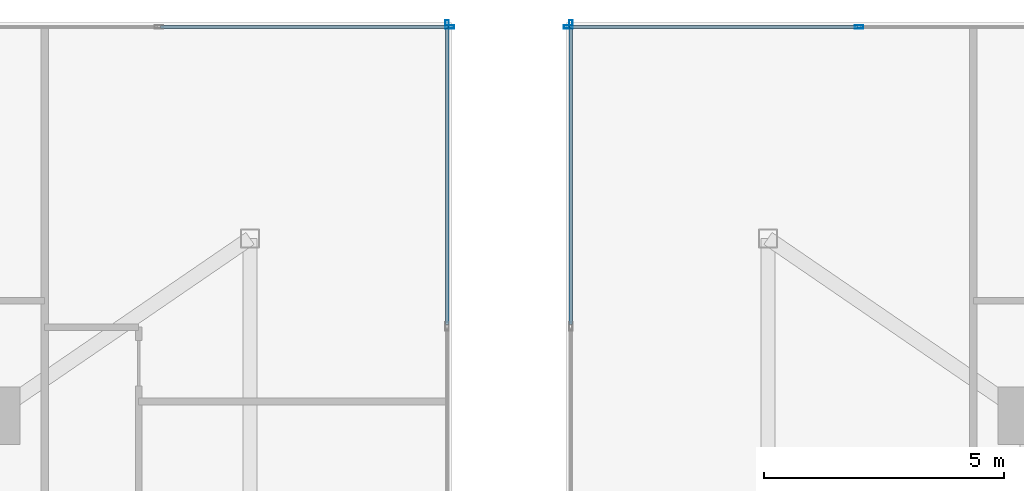
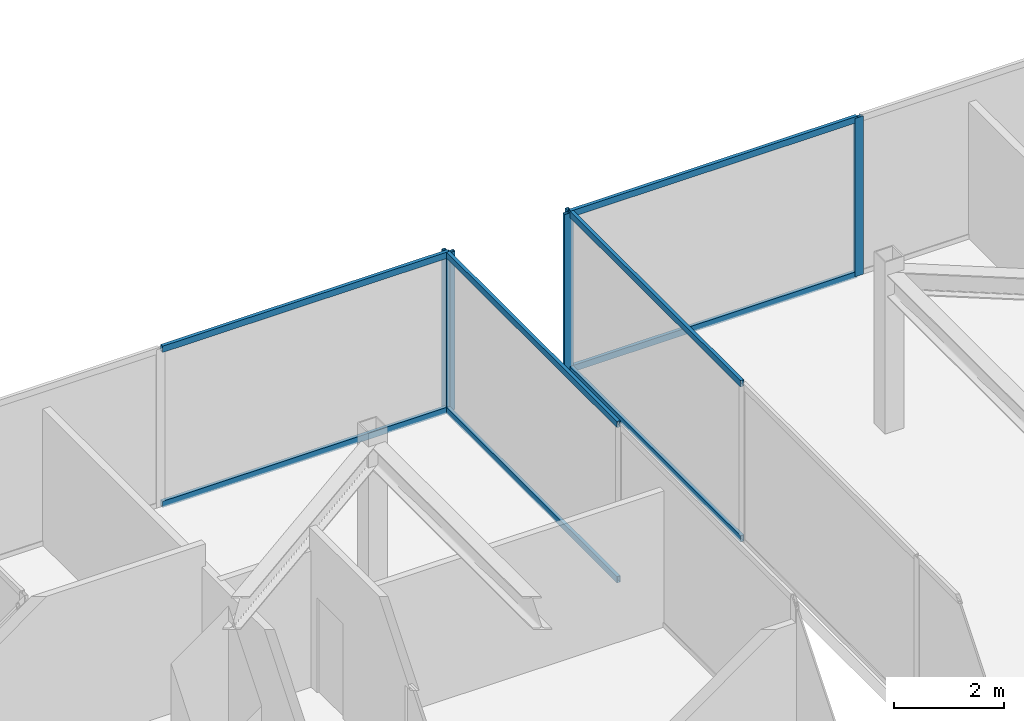
# One storey, part 20 of 25: 13 members, 4 elements without a shape of their own.
"""IFC4 building model written with IfcOpenShell, lengths in metres."""

from ifc_helpers import new_model, si_unit, direction, frame, origin, origin_2d, place, context, subcontext, project, spatial, hollow_rectangle, extrude, source, transform, mapped, material, material_profile, profile_set, type_object, type_shapes, element, aggregate, save


model = new_model("IFC4")

# Units and contexts
model_context = context("Model", 3, precision=1e-05, world=origin(), true_north=direction((0.0, 1.0)))
body_context = subcontext(model_context, "Body", "Model", "MODEL_VIEW")
ifc_project = project(units=[si_unit("LENGTHUNIT", "METRE"), si_unit("AREAUNIT", "SQUARE_METRE"), si_unit("VOLUMEUNIT", "CUBIC_METRE"), si_unit("PLANEANGLEUNIT", "RADIAN"), si_unit("MASSUNIT", "GRAM", prefix="KILO")], contexts=[model_context])

# Site, building, storey
site_placement = place(None, origin())
site = spatial("IfcSite", under=ifc_project, at=site_placement, CompositionType="ELEMENT")
building_placement = place(site_placement, origin())
building = spatial("IfcBuilding", under=site, at=building_placement, Name="Krantzveldt Concourse Tower", CompositionType="ELEMENT")
storey_placement = place(building_placement, frame((0.0, 0.0, 370.85009765625)))
storey = spatial("IfcBuildingStorey", under=building, at=storey_placement, Name="L91", CompositionType="ELEMENT", Elevation=370.85009765625)

# Curtain wall, member
ifc_material = material(Name="Anodised aluminium 6063-T6", Category="aluminium")
curtain_wall_type = type_object("IfcCurtainWallType", Name="CW7", PredefinedType="USERDEFINED", material=ifc_material)
curtain_wall_1_placement = place(storey_placement, origin())
curtain_wall_1 = element("IfcCurtainWall", 1, at=curtain_wall_1_placement, inside=storey, type_object=curtain_wall_type, Name="CW-L91-WEST-01", ObjectType="UNITISED CURTAIN WALL", PredefinedType="USERDEFINED")
ifc_material_profile_1 = material_profile(ifc_material, hollow_rectangle(XDim=0.070068359375, YDim=0.179931640625, WallThickness=0.0048828125, at=origin_2d()), Name="Anodised aluminium 6063-T6", Category="aluminium")
ifc_profile_set_1 = profile_set([ifc_material_profile_1], Name="Anodised aluminium 6063-T6 - ALU-MULL 180x70x5")
member_type_1 = type_object("IfcMemberType", Name="CW-MUL-180", PredefinedType="MULLION", material=ifc_profile_set_1)
shared_shape_1 = source(origin(), body_context, "Body", "SweptSolid", [
    extrude(hollow_rectangle(XDim=0.070068359375, YDim=0.179931640625, WallThickness=0.0048828125, at=origin_2d()), origin(), (0.0, 0.0, 1.0), 3.5),
])
type_shapes(member_type_1, [shared_shape_1])
member_1_placement = place(storey_placement, frame((34.7099609375, 45.6650390625, 0.0), z_axis=(0.0, 0.0, 1.0), x_axis=(-1.0, 0.0, 0.0)))
member_1 = element("IfcMember", 2, at=member_1_placement, type_object=member_type_1, Name="CW-CRN mullion 7", PredefinedType="MULLION", context=body_context, shape_type="MappedRepresentation", body=[
    mapped(shared_shape_1, transform((0.0, 0.0, 0.0), x_axis=(1.0, 0.0, 0.0), y_axis=(0.0, 1.0, 0.0), z_axis=(0.0, 0.0, 1.0), scale=1.0)),
])

curtain_wall_2_placement = place(storey_placement, origin())
curtain_wall_2 = element("IfcCurtainWall", 3, at=curtain_wall_2_placement, inside=storey, type_object=curtain_wall_type, Name="CW-L91-WEST-02", ObjectType="UNITISED CURTAIN WALL", PredefinedType="USERDEFINED")
member_2_placement = place(storey_placement, frame((34.764892578125, 45.610107421875, 0.0), z_axis=(0.0, 0.0, 1.0), x_axis=(0.0, -1.0, 0.0)))
member_2 = element("IfcMember", 4, at=member_2_placement, type_object=member_type_1, Name="CW-CRN mullion 1", PredefinedType="MULLION", context=body_context, shape_type="MappedRepresentation", body=[
    mapped(shared_shape_1, transform((0.0, 0.0, 0.0), x_axis=(1.0, 0.0, 0.0), y_axis=(0.0, 1.0, 0.0), z_axis=(0.0, 0.0, 1.0), scale=1.0)),
])

# Curtain wall, members
curtain_wall_3_placement = place(storey_placement, origin())
curtain_wall_3 = element("IfcCurtainWall", 5, at=curtain_wall_3_placement, inside=storey, type_object=curtain_wall_type, Name="CW-L91-EAST-06", ObjectType="UNITISED CURTAIN WALL", PredefinedType="USERDEFINED")
member_3_placement = place(storey_placement, frame((43.300048828125, 45.610107421875, 0.0), z_axis=(0.0, 0.0, 1.0), x_axis=(0.0, -1.0, 0.0)))
member_3 = element("IfcMember", 6, at=member_3_placement, type_object=member_type_1, Name="CW-CRN mullion 2", PredefinedType="MULLION", context=body_context, shape_type="MappedRepresentation", body=[
    mapped(shared_shape_1, transform((0.0, 0.0, 0.0), x_axis=(1.0, 0.0, 0.0), y_axis=(0.0, 1.0, 0.0), z_axis=(0.0, 0.0, 1.0), scale=1.0)),
])
member_4_placement = place(storey_placement, frame((37.235107421875, 45.610107421875, 0.0), z_axis=(0.0, 0.0, 1.0), x_axis=(0.0, -1.0, 0.0)))
member_4 = element("IfcMember", 7, at=member_4_placement, type_object=member_type_1, Name="CW-CRN mullion 3", PredefinedType="MULLION", context=body_context, shape_type="MappedRepresentation", body=[
    mapped(shared_shape_1, transform((0.0, 0.0, 0.0), x_axis=(1.0, 0.0, 0.0), y_axis=(0.0, 1.0, 0.0), z_axis=(0.0, 0.0, 1.0), scale=1.0)),
])

# Curtain wall, member
curtain_wall_4_placement = place(storey_placement, origin())
curtain_wall_4 = element("IfcCurtainWall", 8, at=curtain_wall_4_placement, inside=storey, type_object=curtain_wall_type, Name="CW-L91-EAST-07", ObjectType="UNITISED CURTAIN WALL", PredefinedType="USERDEFINED")
member_5_placement = place(storey_placement, frame((37.2900390625, 45.6650390625, 0.0), z_axis=(0.0, 0.0, 1.0), x_axis=(1.0, 0.0, 0.0)))
member_5 = element("IfcMember", 9, at=member_5_placement, type_object=member_type_1, Name="CW-CRN mullion 1", PredefinedType="MULLION", context=body_context, shape_type="MappedRepresentation", body=[
    mapped(shared_shape_1, transform((0.0, 0.0, 0.0), x_axis=(1.0, 0.0, 0.0), y_axis=(0.0, 1.0, 0.0), z_axis=(0.0, 0.0, 1.0), scale=1.0)),
])

# Member
ifc_material_profile_2 = material_profile(ifc_material, hollow_rectangle(XDim=0.070068359375, YDim=0.139892578125, WallThickness=0.0048828125, at=origin_2d()), Name="Anodised aluminium 6063-T6", Category="aluminium")
ifc_profile_set_2 = profile_set([ifc_material_profile_2], Name="Anodised aluminium 6063-T6 - ALU-TRAN 140x70x5")
member_type_2 = type_object("IfcMemberType", Name="CW-TRN-150", PredefinedType="USERDEFINED", material=ifc_profile_set_2)
shared_shape_2 = source(origin(), body_context, "Body", "SweptSolid", [
    extrude(hollow_rectangle(XDim=0.070068359375, YDim=0.139892578125, WallThickness=0.0048828125, at=origin_2d()), origin(), (0.0, 0.0, 1.0), 5.994873046875),
])
member_6_placement = place(storey_placement, frame((34.72998046875, 45.610107421875, 0.034912109375), z_axis=(-1.0, 0.0, 0.0), x_axis=(0.0, -1.0, 0.0)))
member_6 = element("IfcMember", 10, at=member_6_placement, type_object=member_type_2, Name="CW-CRN transom 1.1", ObjectType="TRANSOM", PredefinedType="USERDEFINED", context=body_context, shape_type="MappedRepresentation", body=[
    mapped(shared_shape_2, transform((0.0, 0.0, 0.0), x_axis=(1.0, 0.0, 0.0), y_axis=(0.0, 1.0, 0.0), z_axis=(0.0, 0.0, 1.0), scale=1.0)),
])

member_7_placement = place(storey_placement, frame((34.72998046875, 45.610107421875, 3.46484375), z_axis=(-1.0, 0.0, 0.0), x_axis=(0.0, -1.0, 0.0)))
member_7 = element("IfcMember", 11, at=member_7_placement, type_object=member_type_2, Name="CW-CRN transom 1.2", ObjectType="TRANSOM", PredefinedType="USERDEFINED", context=body_context, shape_type="MappedRepresentation", body=[
    mapped(shared_shape_2, transform((0.0, 0.0, 0.0), x_axis=(1.0, 0.0, 0.0), y_axis=(0.0, 1.0, 0.0), z_axis=(0.0, 0.0, 1.0), scale=1.0)),
])

aggregate(curtain_wall_2, [member_2, member_6, member_7])

member_8_placement = place(storey_placement, frame((43.264892578125, 45.610107421875, 0.034912109375), z_axis=(-1.0, 0.0, 0.0), x_axis=(0.0, -1.0, 0.0)))
member_8 = element("IfcMember", 12, at=member_8_placement, type_object=member_type_2, Name="CW-CRN transom 2.1", ObjectType="TRANSOM", PredefinedType="USERDEFINED", context=body_context, shape_type="MappedRepresentation", body=[
    mapped(shared_shape_2, transform((0.0, 0.0, 0.0), x_axis=(1.0, 0.0, 0.0), y_axis=(0.0, 1.0, 0.0), z_axis=(0.0, 0.0, 1.0), scale=1.0)),
])

member_9_placement = place(storey_placement, frame((43.264892578125, 45.610107421875, 3.46484375), z_axis=(-1.0, 0.0, 0.0), x_axis=(0.0, -1.0, 0.0)))
member_9 = element("IfcMember", 13, at=member_9_placement, type_object=member_type_2, Name="CW-CRN transom 2.2", ObjectType="TRANSOM", PredefinedType="USERDEFINED", context=body_context, shape_type="MappedRepresentation", body=[
    mapped(shared_shape_2, transform((0.0, 0.0, 0.0), x_axis=(1.0, 0.0, 0.0), y_axis=(0.0, 1.0, 0.0), z_axis=(0.0, 0.0, 1.0), scale=1.0)),
])

aggregate(curtain_wall_3, [member_3, member_4, member_8, member_9])

shared_shape_3 = source(origin(), body_context, "Body", "SweptSolid", [
    extrude(hollow_rectangle(XDim=0.070068359375, YDim=0.139892578125, WallThickness=0.0048828125, at=origin_2d()), origin(), (0.0, 0.0, 1.0), 6.228271484375),
])
type_shapes(member_type_2, [shared_shape_2, shared_shape_3])
member_10_placement = place(storey_placement, frame((34.7099609375, 39.401611328125, 0.034912109375), z_axis=(0.0, 1.0, 0.0), x_axis=(-1.0, 0.0, 0.0)))
member_10 = element("IfcMember", 14, at=member_10_placement, type_object=member_type_2, Name="CW-CRN transom 6.1", ObjectType="TRANSOM", PredefinedType="USERDEFINED", context=body_context, shape_type="MappedRepresentation", body=[
    mapped(shared_shape_3, transform((0.0, 0.0, 0.0), x_axis=(1.0, 0.0, 0.0), y_axis=(0.0, 1.0, 0.0), z_axis=(0.0, 0.0, 1.0), scale=1.0)),
])

member_11_placement = place(storey_placement, frame((34.7099609375, 39.401611328125, 3.46484375), z_axis=(0.0, 1.0, 0.0), x_axis=(-1.0, 0.0, 0.0)))
member_11 = element("IfcMember", 15, at=member_11_placement, type_object=member_type_2, Name="CW-CRN transom 6.2", ObjectType="TRANSOM", PredefinedType="USERDEFINED", context=body_context, shape_type="MappedRepresentation", body=[
    mapped(shared_shape_3, transform((0.0, 0.0, 0.0), x_axis=(1.0, 0.0, 0.0), y_axis=(0.0, 1.0, 0.0), z_axis=(0.0, 0.0, 1.0), scale=1.0)),
])

aggregate(curtain_wall_1, [member_1, member_10, member_11])

member_12_placement = place(storey_placement, frame((37.2900390625, 45.6298828125, 0.034912109375), z_axis=(0.0, -1.0, 0.0), x_axis=(1.0, 0.0, 0.0)))
member_12 = element("IfcMember", 16, at=member_12_placement, type_object=member_type_2, Name="CW-CRN transom 1.1", ObjectType="TRANSOM", PredefinedType="USERDEFINED", context=body_context, shape_type="MappedRepresentation", body=[
    mapped(shared_shape_3, transform((0.0, 0.0, 0.0), x_axis=(1.0, 0.0, 0.0), y_axis=(0.0, 1.0, 0.0), z_axis=(0.0, 0.0, 1.0), scale=1.0)),
])

member_13_placement = place(storey_placement, frame((37.2900390625, 45.6298828125, 3.46484375), z_axis=(0.0, -1.0, 0.0), x_axis=(1.0, 0.0, 0.0)))
member_13 = element("IfcMember", 17, at=member_13_placement, type_object=member_type_2, Name="CW-CRN transom 1.2", ObjectType="TRANSOM", PredefinedType="USERDEFINED", context=body_context, shape_type="MappedRepresentation", body=[
    mapped(shared_shape_3, transform((0.0, 0.0, 0.0), x_axis=(1.0, 0.0, 0.0), y_axis=(0.0, 1.0, 0.0), z_axis=(0.0, 0.0, 1.0), scale=1.0)),
])

aggregate(curtain_wall_4, [member_5, member_12, member_13])

save(model, "model.ifc")
